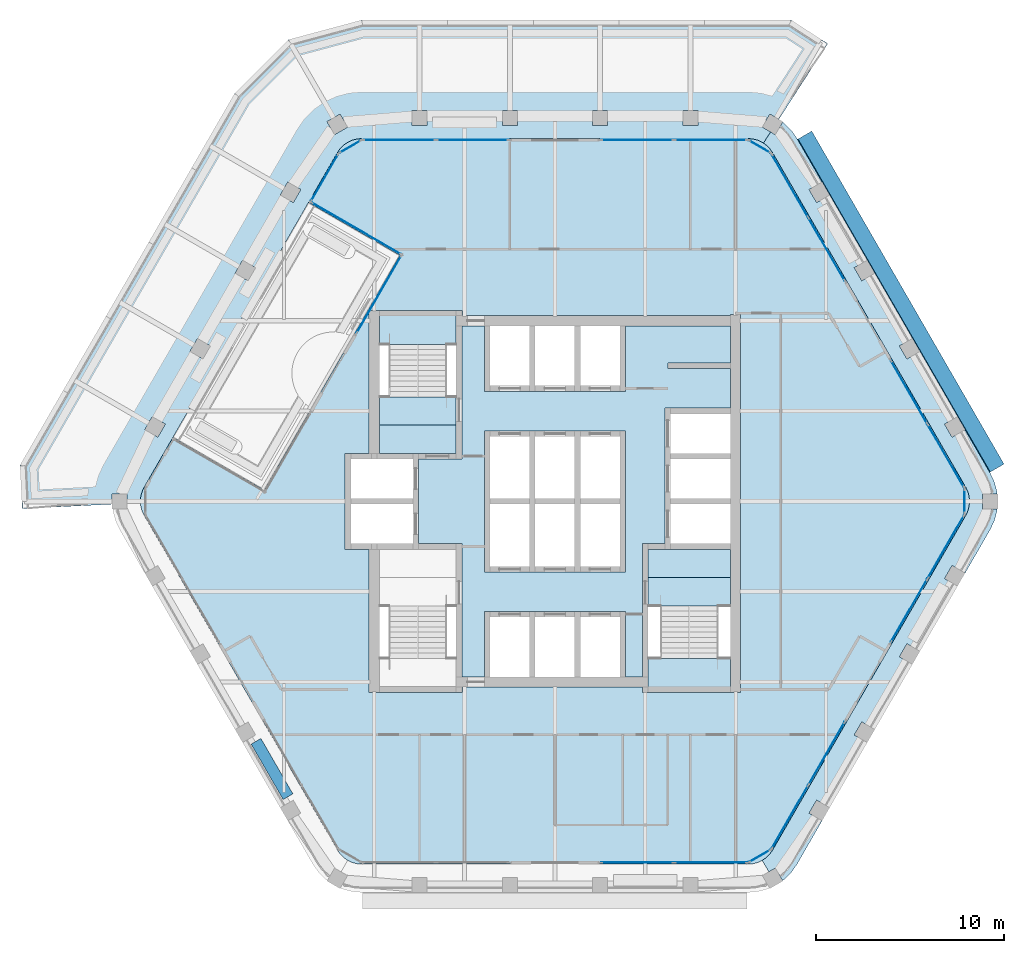
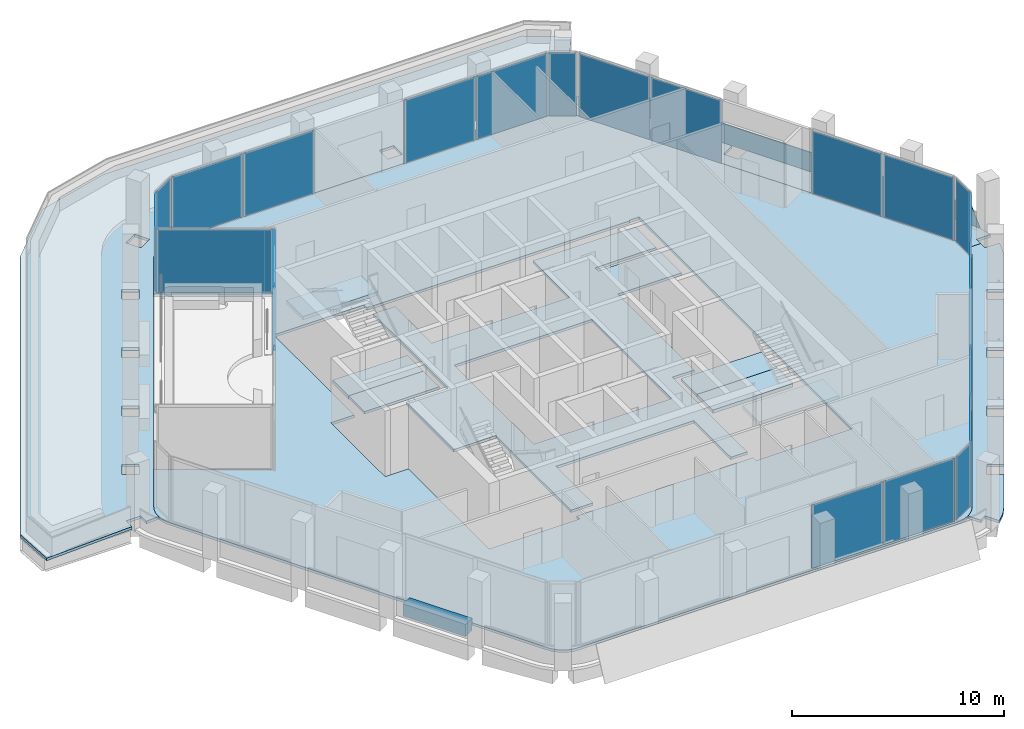
# One storey, part 9 of 16: 22 plates, 11 slabs, 1 wall, 16 elements without a shape of their own.
"""IFC4 building model written with IfcOpenShell, lengths in metres."""

import ifcopenshell
import ifcopenshell.guid

model = None  # the IFC model being written
_history = None  # IfcOwnerHistory: only IFC2X3 demands one
_inside = {}  # id of a spatial element -> (the spatial element, [elements in it])
_under = {}  # id of a project, library or spatial element -> (it, [spatial elements below it])
_declared = {}  # id of a project -> (the project, [libraries it declares])
_typed = {}  # id of a type object -> (the type object, [elements of that type])
_made_of = {}  # id of a material, layer set ... -> (it, [elements and type objects made of it])


def new_model(schema):
    """Start an empty IFC model of exactly this schema.

    Asked for "IFC4X3", IfcOpenShell would pick the latest addendum, in which some entities
    have other attributes; the version numbers below select the first issue.
    IFC2X3 requires an IfcOwnerHistory on every rooted entity: one is made here for all.
    """
    global model, _history
    if schema == "IFC4X3":
        model = ifcopenshell.file(schema_version=(4, 3, 0, 0))
    else:
        model = ifcopenshell.file(schema=schema)
    _inside.clear()
    _under.clear()
    _declared.clear()
    _typed.clear()
    _made_of.clear()
    _history = None
    if model.schema == "IFC2X3":
        org = make("IfcOrganization", Name="unknown")
        user = make(
            "IfcPersonAndOrganization",
            ThePerson=make("IfcPerson", FamilyName="unknown"),
            TheOrganization=org,
        )
        app = make(
            "IfcApplication",
            ApplicationDeveloper=org,
            Version="unknown",
            ApplicationFullName="unknown",
            ApplicationIdentifier="unknown",
        )
        _history = make(
            "IfcOwnerHistory",
            OwningUser=user,
            OwningApplication=app,
            ChangeAction="ADDED",
            CreationDate=0,
        )
    return model


def make(cls, **values):
    """One entity of the class cls with the attributes given. An attribute that is None is left unset."""
    return model.create_entity(
        cls, **{name: value for name, value in values.items() if value is not None}
    )


def rooted(cls, **values):
    """An entity with a GlobalId (a new one), such as an element, a storey or a relation."""
    return make(cls, GlobalId=ifcopenshell.guid.new(), OwnerHistory=_history, **values)


def si_unit(unit_type, name, prefix=None):
    """IfcSIUnit, for example si_unit("LENGTHUNIT", "METRE", prefix="MILLI")."""
    return make("IfcSIUnit", UnitType=unit_type, Prefix=prefix, Name=name)


def assignment(units):
    """IfcUnitAssignment: the units of a project."""
    return None if units is None else make("IfcUnitAssignment", Units=units)


def point(xyz):
    """IfcCartesianPoint."""
    return None if xyz is None else make("IfcCartesianPoint", Coordinates=xyz)


def direction(xyz):
    """IfcDirection."""
    return None if xyz is None else make("IfcDirection", DirectionRatios=xyz)


def frame(location, z_axis=None, x_axis=None):
    """IfcAxis2Placement3D, a coordinate frame: its origin and axes. An axis left out is left unset."""
    return make(
        "IfcAxis2Placement3D",
        Location=point(location),
        Axis=direction(z_axis),
        RefDirection=direction(x_axis),
    )


def frame_2d(location, x_axis=None):
    """IfcAxis2Placement2D, a coordinate frame in the plane: its origin and x axis."""
    return make(
        "IfcAxis2Placement2D", Location=point(location), RefDirection=direction(x_axis)
    )


def origin():
    """The frame at (0, 0, 0) with its axes left unset."""
    return frame((0.0, 0.0, 0.0))


def origin_2d():
    """The frame at (0, 0) in the plane with its x axis left unset."""
    return frame_2d((0.0, 0.0))


def place(relative_to, where):
    """IfcLocalPlacement: puts the frame where relative to a parent placement (None: the world)."""
    return make(
        "IfcLocalPlacement", PlacementRelTo=relative_to, RelativePlacement=where
    )


def context(
    kind, dimensions, precision=None, world=None, true_north=None, identifier=None
):
    """IfcGeometricRepresentationContext, for example the 3D "Model" context."""
    return make(
        "IfcGeometricRepresentationContext",
        ContextIdentifier=identifier,
        ContextType=kind,
        CoordinateSpaceDimension=dimensions,
        Precision=precision,
        WorldCoordinateSystem=world,
        TrueNorth=true_north,
    )


def subcontext(parent, identifier, kind, view, scale=None):
    """IfcGeometricRepresentationSubContext, for example "Body" below "Model"."""
    return make(
        "IfcGeometricRepresentationSubContext",
        ContextIdentifier=identifier,
        ContextType=kind,
        ParentContext=parent,
        TargetScale=scale,
        TargetView=view,
    )


def project(units=None, contexts=None):
    """IfcProject with its units and contexts."""
    return rooted(
        "IfcProject",
        Name="project",
        RepresentationContexts=contexts,
        UnitsInContext=assignment(units),
    )


def spatial(cls, under=None, at=None, **own):
    """A site, building, storey or space (cls), placed at a placement, below another one or the project."""
    s = rooted(cls, ObjectPlacement=at, **own)
    if under is not None:
        _under.setdefault(under.id(), (under, []))[1].append(s)
    return s


def polyline(points):
    """IfcPolyline through the points."""
    return make("IfcPolyline", Points=[point(p) for p in points])


def profile(cls, at=None, kind="AREA", **sizes):
    """A parametric profile (cls). Its sizes go by their IFC names, for example OverallWidth=200.0."""
    return make(cls, ProfileType=kind, Position=at, **sizes)


def rectangle(**sizes):
    """IfcRectangleProfileDef."""
    return profile("IfcRectangleProfileDef", **sizes)


def outline(outer, holes=None, kind="AREA"):
    """IfcArbitraryClosedProfileDef: a profile drawn as a closed curve; with holes, ...WithVoids."""
    if holes is None:
        return make("IfcArbitraryClosedProfileDef", ProfileType=kind, OuterCurve=outer)
    return make(
        "IfcArbitraryProfileDefWithVoids",
        ProfileType=kind,
        OuterCurve=outer,
        InnerCurves=holes,
    )


def extrude(swept, where, along, depth):
    """IfcExtrudedAreaSolid: the profile swept, set in the frame where, extruded along a direction by depth."""
    return make(
        "IfcExtrudedAreaSolid",
        SweptArea=swept,
        Position=where,
        ExtrudedDirection=direction(along),
        Depth=depth,
    )


def shape(context_of_items, identifier, shape_type, items):
    """IfcShapeRepresentation: the items that make up one representation, for example the "Body"."""
    return make(
        "IfcShapeRepresentation",
        ContextOfItems=context_of_items,
        RepresentationIdentifier=identifier,
        RepresentationType=shape_type,
        Items=items,
    )


def material(Name=None, Category=None):
    """IfcMaterial."""
    return make("IfcMaterial", Name=Name, Category=Category)


def layer(
    of_material, thickness, ventilated=None, Name=None, Category=None, Priority=None
):
    """IfcMaterialLayer: one layer of a wall or slab, of a material (None: an air gap)."""
    return make(
        "IfcMaterialLayer",
        Material=of_material,
        LayerThickness=thickness,
        IsVentilated=ventilated,
        Name=Name,
        Category=Category,
        Priority=Priority,
    )


def layer_set(layers, Name=None):
    """IfcMaterialLayerSet."""
    return make("IfcMaterialLayerSet", MaterialLayers=layers, LayerSetName=Name)


def made_of(thing, what):
    """Note that an element or type object is made of a material, layer set ...; save() writes the relation."""
    if what is not None:
        _made_of.setdefault(what.id(), (what, []))[1].append(thing)
    return thing


def type_object(cls, material=None, **own):
    """A type object (cls), such as IfcWallType, which elements share."""
    return made_of(rooted(cls, **own), material)


def element(
    cls,
    number,
    at=None,
    inside=None,
    cuts=None,
    type_object=None,
    material=None,
    context=None,
    identifier="Body",
    shape_type=None,
    held_by="IfcProductDefinitionShape",
    body=None,
    shapes=None,
    **own,
):
    """One element of the class cls, such as IfcWall. Its Tag is "e" and its number.

    at: its placement. inside: the storey or other place that contains it. cuts: it is an
    opening in that element (IfcRelVoidsElement). A single representation is given by context,
    identifier, shape_type and body (its items); several are given by shapes. held_by: the class
    of the entity that holds the representations. save() writes the other relations.
    """
    e = rooted(cls, Tag="e%d" % number, ObjectPlacement=at, **own)
    if body is not None:
        shapes = [shape(context, identifier, shape_type, body)]
    if shapes is not None:
        e.Representation = make(held_by, Representations=shapes)
    if inside is not None:
        _inside.setdefault(inside.id(), (inside, []))[1].append(e)
    if cuts is not None:
        rooted(
            "IfcRelVoidsElement", RelatingBuildingElement=cuts, RelatedOpeningElement=e
        )
    if type_object is not None:
        _typed.setdefault(type_object.id(), (type_object, []))[1].append(e)
    return made_of(e, material)


def aggregate(whole, parts):
    """IfcRelAggregates: a whole, such as a stair, and the parts it consists of."""
    return rooted("IfcRelAggregates", RelatingObject=whole, RelatedObjects=parts)


def save(model, path):
    """Write the relations noted so far, then the file.

    IfcRelAggregates (storeys below a building ...), IfcRelContainedInSpatialStructure (elements
    in a storey), IfcRelDefinesByType, IfcRelAssociatesMaterial and IfcRelDeclares: one each for
    every whole, place, type object, material and project.
    """
    for whole, parts in _under.values():
        aggregate(whole, parts)
    for where, things in _inside.values():
        rooted(
            "IfcRelContainedInSpatialStructure",
            RelatedElements=things,
            RelatingStructure=where,
        )
    for kind, things in _typed.values():
        rooted("IfcRelDefinesByType", RelatedObjects=things, RelatingType=kind)
    for what, things in _made_of.values():
        rooted("IfcRelAssociatesMaterial", RelatedObjects=things, RelatingMaterial=what)
    for by, libraries in _declared.values():
        rooted("IfcRelDeclares", RelatingContext=by, RelatedDefinitions=libraries)
    model.write(path)


model = new_model("IFC4")

# Units and contexts
model_context = context("Model", 3, precision=1e-05, world=origin(), true_north=direction((0.0, 1.0)))
body_context = subcontext(model_context, "Body", "Model", "MODEL_VIEW")
ifc_project = project(units=[si_unit("LENGTHUNIT", "METRE"), si_unit("AREAUNIT", "SQUARE_METRE"), si_unit("VOLUMEUNIT", "CUBIC_METRE"), si_unit("PLANEANGLEUNIT", "RADIAN"), si_unit("MASSUNIT", "GRAM", prefix="KILO")], contexts=[model_context])

# Site, building, storey
site_placement = place(None, origin())
site = spatial("IfcSite", under=ifc_project, at=site_placement, CompositionType="ELEMENT")
building_placement = place(site_placement, origin())
building = spatial("IfcBuilding", under=site, at=building_placement, Name="Kolab Exchange Tower", CompositionType="ELEMENT")
storey_placement = place(building_placement, frame((0.0, 0.0, 254.0)))
storey = spatial("IfcBuildingStorey", under=building, at=storey_placement, Name="L56", CompositionType="ELEMENT", Elevation=254.0)

# Slabs
ifc_material_1 = material(Name="Concrete C35/45", Category="concrete")
ifc_layer_1 = layer(ifc_material_1, 0.14990234375)
ifc_layer_set_1 = layer_set([ifc_layer_1], Name="Concrete C35/45")
slab_type_1 = type_object("IfcSlabType", Name="FLOOR SLAB 150", PredefinedType="FLOOR", material=ifc_layer_set_1)
slab_1_placement = place(storey_placement, frame((0.0, 0.0, -0.14990234375)))
element("IfcSlab", 1, at=slab_1_placement, inside=storey, type_object=slab_type_1, Name="slab/L56/floor/0", PredefinedType="FLOOR", context=body_context, shape_type="SweptSolid", body=[
    extrude(outline(polyline([(-11.56689453125, 18.53466796875), (-13.10107421875, 15.877685546875), (-8.251220703125, 13.07763671875), (-15.451171875, 0.60693359375), (-20.301025390625, 3.406982421875), (-21.8349609375, 0.75), (-21.945556640625, 0.512939453125), (-22.01318359375, 0.260498046875), (-22.035888671875, 0.0), (-22.01318359375, -0.260498046875), (-21.945556640625, -0.512939453125), (-21.8349609375, -0.75), (-11.56689453125, -18.53466796875), (-11.4169921875, -18.748779296875), (-11.232177734375, -18.93359375), (-11.01806640625, -19.083740234375), (-10.781005859375, -19.194091796875), (-10.5283203125, -19.26171875), (-10.26806640625, -19.28466796875), (10.26806640625, -19.28466796875), (10.5283203125, -19.26171875), (10.781005859375, -19.194091796875), (11.01806640625, -19.083740234375), (11.232177734375, -18.93359375), (11.4169921875, -18.748779296875), (11.56689453125, -18.53466796875), (21.8349609375, -0.75), (21.945556640625, -0.512939453125), (22.01318359375, -0.260498046875), (22.035888671875, 0.0), (22.01318359375, 0.260498046875), (21.945556640625, 0.512939453125), (21.8349609375, 0.75), (11.56689453125, 18.53466796875), (11.4169921875, 18.748779296875), (11.232177734375, 18.93359375), (11.01806640625, 19.083740234375), (10.781005859375, 19.194091796875), (10.5283203125, 19.26171875), (10.26806640625, 19.28466796875), (-10.26806640625, 19.28466796875), (-10.5283203125, 19.26171875), (-10.781005859375, 19.194091796875), (-11.01806640625, 19.083740234375), (-11.232177734375, 18.93359375), (-11.4169921875, 18.748779296875), (-11.56689453125, 18.53466796875)]), holes=[polyline([(-9.324951171875, -10.14990234375), (-9.875, -10.14990234375), (-9.875, -2.550048828125), (-10.85009765625, -2.550048828125), (-11.14990234375, -2.550048828125), (-11.14990234375, 2.550048828125), (-10.85009765625, 2.550048828125), (-9.875, 2.550048828125), (-9.875, 10.14990234375), (-9.324951171875, 10.14990234375), (-5.25, 10.14990234375), (-4.949951171875, 10.14990234375), (-4.949951171875, 9.875), (9.324951171875, 9.875), (9.324951171875, 9.925048828125), (9.875, 9.925048828125), (9.875, -10.14990234375), (9.324951171875, -10.14990234375), (4.949951171875, -10.14990234375), (4.64990234375, -10.14990234375), (4.64990234375, -9.875), (-4.949951171875, -9.875), (-4.949951171875, -10.14990234375), (-5.25, -10.14990234375), (-9.324951171875, -10.14990234375)])]), origin(), (0.0, 0.0, 1.0), 0.14990234375),
])
slab_2_placement = place(storey_placement, frame((0.0, 0.0, -0.14990234375)))
element("IfcSlab", 2, at=slab_2_placement, inside=storey, type_object=slab_type_1, Name="slab/L56/floor/1", PredefinedType="FLOOR", context=body_context, shape_type="SweptSolid", body=[
    extrude(outline(polyline([(-4.949951171875, 9.324951171875), (-4.949951171875, 2.25), (-5.25, 2.25), (-7.25, 2.25), (-7.25, -2.25), (-5.25, -2.25), (-4.949951171875, -2.25), (-4.949951171875, -9.324951171875), (-3.75, -9.324951171875), (-3.75, -5.85009765625), (-3.449951171875, -5.85009765625), (-1.35009765625, -5.85009765625), (-1.050048828125, -5.85009765625), (1.050048828125, -5.85009765625), (1.35009765625, -5.85009765625), (3.449951171875, -5.85009765625), (3.75, -5.85009765625), (3.75, -9.324951171875), (4.64990234375, -9.324951171875), (4.64990234375, -2.25), (4.949951171875, -2.25), (5.85009765625, -2.25), (5.85009765625, 4.949951171875), (6.14990234375, 4.949951171875), (9.324951171875, 4.949951171875), (9.324951171875, 7.050048828125), (6.0, 7.050048828125), (6.0, 7.35009765625), (9.324951171875, 7.35009765625), (9.324951171875, 9.324951171875), (3.75, 9.324951171875), (3.75, 5.85009765625), (3.449951171875, 5.85009765625), (1.35009765625, 5.85009765625), (1.050048828125, 5.85009765625), (-1.050048828125, 5.85009765625), (-1.35009765625, 5.85009765625), (-3.449951171875, 5.85009765625), (-3.75, 5.85009765625), (-3.75, 9.324951171875), (-4.949951171875, 9.324951171875)]), holes=[polyline([(-3.449951171875, -3.75), (-3.75, -3.75), (-3.75, 3.75), (-3.449951171875, 3.75), (-1.35009765625, 3.75), (-1.050048828125, 3.75), (1.050048828125, 3.75), (1.35009765625, 3.75), (3.449951171875, 3.75), (3.75, 3.75), (3.75, -3.75), (3.449951171875, -3.75), (1.35009765625, -3.75), (1.050048828125, -3.75), (-1.050048828125, -3.75), (-1.35009765625, -3.75), (-3.449951171875, -3.75)])]), origin(), (0.0, 0.0, 1.0), 0.14990234375),
])
slab_3_placement = place(storey_placement, frame((0.0, 0.0, -0.14990234375)))
element("IfcSlab", 3, at=slab_3_placement, inside=storey, type_object=slab_type_1, Name="slab/L56/floor/2", PredefinedType="FLOOR", context=body_context, shape_type="SweptSolid", body=[
    extrude(outline(polyline([(4.949951171875, -2.550048828125), (4.949951171875, -4.050048828125), (9.324951171875, -4.050048828125), (9.324951171875, -2.550048828125), (6.14990234375, -2.550048828125), (5.85009765625, -2.550048828125), (4.949951171875, -2.550048828125)])), origin(), (0.0, 0.0, 1.0), 0.14990234375),
])
slab_4_placement = place(storey_placement, frame((0.0, 0.0, -0.14990234375)))
element("IfcSlab", 4, at=slab_4_placement, inside=storey, type_object=slab_type_1, Name="slab/L56/floor/4", PredefinedType="FLOOR", context=body_context, shape_type="SweptSolid", body=[
    extrude(outline(polyline([(-9.324951171875, 4.050048828125), (-9.324951171875, 2.550048828125), (-7.550048828125, 2.550048828125), (-7.25, 2.550048828125), (-5.25, 2.550048828125), (-5.25, 4.050048828125), (-9.324951171875, 4.050048828125)])), origin(), (0.0, 0.0, 1.0), 0.14990234375),
])
ifc_layer_2 = layer(ifc_material_1, 0.14990234375)
ifc_layer_set_2 = layer_set([ifc_layer_2], Name="Concrete C35/45")
slab_type_2 = type_object("IfcSlabType", Name="LOGGIA SLAB 150", PredefinedType="FLOOR", material=ifc_layer_set_2)
slab_5_placement = place(storey_placement, frame((0.0, 0.0, -0.14990234375)))
element("IfcSlab", 5, at=slab_5_placement, inside=storey, type_object=slab_type_2, Name="slab/L56/loggia/1-0", PredefinedType="FLOOR", context=body_context, shape_type="SweptSolid", body=[
    extrude(outline(polyline([(22.01318359375, 0.260498046875), (22.035888671875, 0.0), (22.73583984375, 0.0), (22.73583984375, 0.39990234375), (23.5009765625, 0.39990234375), (23.490234375, 0.52099609375), (23.35498046875, 1.026123046875), (23.134033203125, 1.5), (21.800048828125, 3.810546875), (21.107177734375, 3.410400390625), (20.707275390625, 4.103271484375), (21.39990234375, 4.50341796875), (19.39990234375, 7.967529296875), (18.707275390625, 7.5673828125), (18.30712890625, 8.26025390625), (19.0, 8.66015625), (17.0, 12.124267578125), (16.30712890625, 11.724365234375), (15.9072265625, 12.417236328125), (16.60009765625, 12.817138671875), (14.60009765625, 16.28125), (13.9072265625, 15.88134765625), (13.507080078125, 16.57421875), (14.199951171875, 16.97412109375), (12.865966796875, 19.28466796875), (12.566162109375, 19.712890625), (12.1962890625, 20.082763671875), (12.096923828125, 20.15234375), (11.71435546875, 19.48974609375), (11.464111328125, 19.63427734375), (11.080322265625, 19.0400390625), (11.232177734375, 18.93359375), (11.4169921875, 18.748779296875), (11.56689453125, 18.53466796875), (21.8349609375, 0.75), (21.945556640625, 0.512939453125), (22.01318359375, 0.260498046875)])), origin(), (0.0, 0.0, 1.0), 0.14990234375),
])
slab_6_placement = place(storey_placement, frame((0.0, 0.0, -0.14990234375)))
element("IfcSlab", 6, at=slab_6_placement, inside=storey, type_object=slab_type_2, Name="slab/L56/loggia/2-0", PredefinedType="FLOOR", context=body_context, shape_type="SweptSolid", body=[
    extrude(outline(polyline([(12.566162109375, -19.712890625), (12.865966796875, -19.28466796875), (14.199951171875, -16.97412109375), (13.507080078125, -16.57421875), (13.9072265625, -15.88134765625), (14.60009765625, -16.28125), (16.60009765625, -12.817138671875), (15.9072265625, -12.417236328125), (16.30712890625, -11.724365234375), (17.0, -12.124267578125), (19.0, -8.66015625), (18.30712890625, -8.26025390625), (18.707275390625, -7.5673828125), (19.39990234375, -7.967529296875), (21.39990234375, -4.50341796875), (20.707275390625, -4.103271484375), (21.107177734375, -3.410400390625), (21.800048828125, -3.810546875), (23.134033203125, -1.5), (23.35498046875, -1.026123046875), (23.490234375, -0.52099609375), (23.5009765625, -0.39990234375), (22.73583984375, -0.39990234375), (22.73583984375, 0.0), (22.035888671875, 0.0), (22.01318359375, -0.260498046875), (21.945556640625, -0.512939453125), (21.8349609375, -0.75), (11.56689453125, -18.53466796875), (11.4169921875, -18.748779296875), (11.232177734375, -18.93359375), (11.01806640625, -19.083740234375), (11.367919921875, -19.68994140625), (11.71435546875, -19.48974609375), (12.096923828125, -20.15234375), (12.1962890625, -20.082763671875), (12.566162109375, -19.712890625)])), origin(), (0.0, 0.0, 1.0), 0.14990234375),
])

# Plate
ifc_material_2 = material(Name="Laminated glass, clear", Category="glass")
ifc_layer_3 = layer(ifc_material_2, 0.0400390625)
ifc_layer_set_3 = layer_set([ifc_layer_3], Name="Laminated glass, clear")
plate_type_1 = type_object("IfcPlateType", Name="OUTER SKIN LAMINATED GLASS SHEET 40", PredefinedType="SHEET", material=ifc_layer_set_3)
plate_1_placement = place(storey_placement, frame((13.6494140625, 19.67919921875, -0.68310546875), z_axis=(0.784886322863, 0.453152182031, 0.422618693508), x_axis=(0.499997422494, -0.866026891901, 1.981408e-06)))
element("IfcPlate", 7, at=plate_1_placement, inside=storey, type_object=plate_type_1, Name="Outer skin", PredefinedType="SHEET", context=body_context, shape_type="SweptSolid", body=[
    extrude(outline(polyline([(0.0, 0.0), (20.435802623779963, 0.0), (20.435856947346753, -1.9860898935068516), (-6.774611643567295e-05, -1.9861792489881693), (0.0, 0.0)])), origin(), (0.0, 0.0, -1.0), 0.0400390625),
])

# Stair, slabs
ifc_material_3 = material(Name="Concrete C50/60", Category="concrete")
stair_type_1 = type_object("IfcStairType", Name="STAIR ST1 RISER 177.3", PredefinedType="HALF_TURN_STAIR", material=ifc_material_3)
stair_1_placement = place(storey_placement, origin())
stair_1 = element("IfcStair", 8, at=stair_1_placement, inside=storey, type_object=stair_type_1, Name="Stair 1", PredefinedType="HALF_TURN_STAIR")
ifc_layer_4 = layer(ifc_material_3, 0.199951171875)
ifc_layer_set_4 = layer_set([ifc_layer_4], Name="Concrete C50/60")
slab_type_3 = type_object("IfcSlabType", Name="STAIR LANDING 200", PredefinedType="LANDING", material=ifc_layer_set_4)
slab_7_placement = place(storey_placement, frame((0.0, 0.0, -0.199951171875)))
slab_7 = element("IfcSlab", 9, at=slab_7_placement, type_object=slab_type_3, Name="ST1 landing 1", PredefinedType="LANDING", context=body_context, shape_type="SweptSolid", body=[
    extrude(outline(polyline([(-9.324951171875, 4.050048828125), (-5.25, 4.050048828125), (-5.25, 5.550048828125), (-9.324951171875, 5.550048828125), (-9.324951171875, 4.050048828125)])), origin(), (0.0, 0.0, 1.0), 0.199951171875),
])
slab_8_placement = place(storey_placement, frame((0.0, 0.0, 1.75)))
slab_8 = element("IfcSlab", 10, at=slab_8_placement, type_object=slab_type_3, Name="ST1 landing 2", PredefinedType="LANDING", context=body_context, shape_type="SweptSolid", body=[
    extrude(outline(polyline([(-9.324951171875, 8.35009765625), (-5.25, 8.35009765625), (-5.25, 9.909912109375), (-9.324951171875, 9.909912109375), (-9.324951171875, 8.35009765625)])), origin(), (0.0, 0.0, 1.0), 0.199951171875),
])
aggregate(stair_1, [slab_7, slab_8])

stair_type_2 = type_object("IfcStairType", Name="STAIR ST2 RISER 177.3", PredefinedType="HALF_TURN_STAIR", material=ifc_material_3)
stair_2_placement = place(storey_placement, origin())
stair_2 = element("IfcStair", 11, at=stair_2_placement, inside=storey, type_object=stair_type_2, Name="Stair 2", PredefinedType="HALF_TURN_STAIR")
slab_9_placement = place(storey_placement, frame((0.0, 0.0, -0.199951171875)))
slab_9 = element("IfcSlab", 12, at=slab_9_placement, type_object=slab_type_3, Name="ST2 landing 1", PredefinedType="LANDING", context=body_context, shape_type="SweptSolid", body=[
    extrude(outline(polyline([(4.949951171875, -5.550048828125), (9.324951171875, -5.550048828125), (9.324951171875, -4.050048828125), (4.949951171875, -4.050048828125), (4.949951171875, -5.550048828125)])), origin(), (0.0, 0.0, 1.0), 0.199951171875),
])
slab_10_placement = place(storey_placement, frame((0.0, 0.0, 1.75)))
slab_10 = element("IfcSlab", 13, at=slab_10_placement, type_object=slab_type_3, Name="ST2 landing 2", PredefinedType="LANDING", context=body_context, shape_type="SweptSolid", body=[
    extrude(outline(polyline([(4.949951171875, -9.909912109375), (9.324951171875, -9.909912109375), (9.324951171875, -8.35009765625), (4.949951171875, -8.35009765625), (4.949951171875, -9.909912109375)])), origin(), (0.0, 0.0, 1.0), 0.199951171875),
])
aggregate(stair_2, [slab_9, slab_10])

# Slab
ifc_layer_5 = layer(ifc_material_1, 0.14990234375)
ifc_layer_set_5 = layer_set([ifc_layer_5], Name="Concrete C35/45")
slab_type_4 = type_object("IfcSlabType", Name="TERRACE SLAB 150 PLANTED", PredefinedType="ROOF", material=ifc_layer_set_5)
slab_11_placement = place(storey_placement, frame((0.0, 0.0, -0.14990234375)))
element("IfcSlab", 14, at=slab_11_placement, inside=storey, type_object=slab_type_4, Name="Roof terrace", PredefinedType="ROOF", context=body_context, shape_type="SweptSolid", body=[
    extrude(outline(polyline([(-28.432373046875, 1.9228515625), (-28.4326171875, 1.922607421875), (-28.31689453125, -0.38916015625), (-28.31689453125, -0.389404296875), (-28.316650390625, -0.389404296875), (-23.535888671875, -0.150146484375), (-23.535888671875, 0.39990234375), (-22.73583984375, 0.39990234375), (-22.73583984375, -0.110107421875), (-22.029296875, -0.07470703125), (-22.035888671875, -0.000244140625), (-22.035888671875, 0.0), (-22.035888671875, 0.000244140625), (-22.01318359375, 0.26025390625), (-22.01318359375, 0.260498046875), (-22.01318359375, 0.2607421875), (-21.945556640625, 0.512939453125), (-21.9453125, 0.512939453125), (-21.9453125, 0.51318359375), (-21.8349609375, 0.75), (-11.567138671875, 18.534423828125), (-11.56689453125, 18.53466796875), (-11.417236328125, 18.74853515625), (-11.4169921875, 18.748779296875), (-11.4169921875, 18.7490234375), (-11.232177734375, 18.93359375), (-11.23193359375, 18.933837890625), (-11.01806640625, 19.08349609375), (-11.01806640625, 19.083740234375), (-11.017822265625, 19.083740234375), (-10.78125, 19.194091796875), (-10.781005859375, 19.194091796875), (-10.78076171875, 19.194091796875), (-10.528564453125, 19.26171875), (-10.5283203125, 19.26171875), (-10.26806640625, 19.28466796875), (-10.267822265625, 19.28466796875), (10.267822265625, 19.28466796875), (10.26806640625, 19.28466796875), (10.5283203125, 19.26171875), (10.528564453125, 19.26171875), (10.78076171875, 19.194091796875), (10.781005859375, 19.194091796875), (10.78125, 19.194091796875), (11.017822265625, 19.083740234375), (11.01806640625, 19.083740234375), (11.01806640625, 19.08349609375), (11.079345703125, 19.040771484375), (11.46337890625, 19.634765625), (11.021484375, 19.889892578125), (11.421630859375, 20.582763671875), (11.89794921875, 20.3076171875), (14.495361328125, 24.328369140625), (14.49560546875, 24.32861328125), (14.495361328125, 24.32861328125), (12.55126953125, 25.58447265625), (12.55126953125, 25.584716796875), (-10.267822265625, 25.584716796875), (-10.267822265625, 25.58447265625), (-14.16796875, 24.53955078125), (-17.02294921875, 21.6845703125), (-28.432373046875, 1.9228515625)]), holes=[polyline([(-21.107177734375, 3.410400390625), (-21.800048828125, 3.810546875), (-21.39990234375, 4.50341796875), (-20.707275390625, 4.103271484375), (-21.107177734375, 3.410400390625)]), polyline([(-19.39990234375, 7.967529296875), (-19.0, 8.66015625), (-18.30712890625, 8.26025390625), (-18.707275390625, 7.5673828125), (-19.39990234375, 7.967529296875)]), polyline([(-17.0, 12.124267578125), (-16.60009765625, 12.817138671875), (-15.9072265625, 12.417236328125), (-16.30712890625, 11.724365234375), (-17.0, 12.124267578125)]), polyline([(-14.60009765625, 16.28125), (-14.199951171875, 16.97412109375), (-13.507080078125, 16.57421875), (-13.9072265625, 15.88134765625), (-14.60009765625, 16.28125)]), polyline([(-11.71435546875, 19.48974609375), (-12.1142578125, 20.1826171875), (-11.421630859375, 20.582763671875), (-11.021484375, 19.889892578125), (-11.71435546875, 19.48974609375)]), polyline([(-2.800048828125, 19.984619140625), (-2.800048828125, 20.78466796875), (-2.0, 20.78466796875), (-2.0, 19.984619140625), (-2.800048828125, 19.984619140625)]), polyline([(-7.60009765625, 20.78466796875), (-6.800048828125, 20.78466796875), (-6.800048828125, 19.984619140625), (-7.60009765625, 19.984619140625), (-7.60009765625, 20.78466796875)]), polyline([(2.0, 20.78466796875), (2.800048828125, 20.78466796875), (2.800048828125, 19.984619140625), (2.0, 19.984619140625), (2.0, 20.78466796875)]), polyline([(6.800048828125, 20.78466796875), (7.60009765625, 20.78466796875), (7.60009765625, 19.984619140625), (6.800048828125, 19.984619140625), (6.800048828125, 20.78466796875)])]), origin(), (0.0, 0.0, 1.0), 0.14990234375),
])

# Curtain wall, plates
ifc_material_4 = material(Name="Aluminium EN AW-6063 T6", Category="aluminium")
curtain_wall_type = type_object("IfcCurtainWallType", Name="UNITISED HIGH ZONE CURTAIN WALL", PredefinedType="NOTDEFINED", material=ifc_material_4)
curtain_wall_1_placement = place(storey_placement, origin())
curtain_wall_1 = element("IfcCurtainWall", 15, at=curtain_wall_1_placement, inside=storey, type_object=curtain_wall_type, Name="cw/L56/F1-1", PredefinedType="NOTDEFINED")
ifc_material_5 = material(Name="Clear insulated glazing unit", Category="glass")
ifc_layer_6 = layer(ifc_material_5, 0.030029296875)
ifc_layer_set_6 = layer_set([ifc_layer_6], Name="Clear insulated glazing unit")
plate_type_2 = type_object("IfcPlateType", Name="UNITISED HIGH ZONE GLASS PANEL 30", PredefinedType="CURTAIN_PANEL", material=ifc_layer_set_6)
plate_2_placement = place(storey_placement, frame((-8.285888671875, 19.20458984375, 0.06005859375), z_axis=(0.0, 0.0, 1.0), x_axis=(1.0, 0.0, 0.0)))
plate_2 = element("IfcPlate", 16, at=plate_2_placement, type_object=plate_type_2, Name="CW4 panel 1.1", PredefinedType="CURTAIN_PANEL", context=body_context, shape_type="SweptSolid", body=[
    extrude(rectangle(XDim=3.843994140625, YDim=0.030029296875, at=origin_2d()), origin(), (0.0, 0.0, 1.0), 3.6298828125),
])
plate_3_placement = place(storey_placement, frame((-4.382080078125, 19.20458984375, 0.06005859375), z_axis=(0.0, 0.0, 1.0), x_axis=(1.0, 0.0, 0.0)))
plate_3 = element("IfcPlate", 17, at=plate_3_placement, type_object=plate_type_2, Name="CW4 panel 2.1", PredefinedType="CURTAIN_PANEL", context=body_context, shape_type="SweptSolid", body=[
    extrude(rectangle(XDim=3.843994140625, YDim=0.030029296875, at=origin_2d()), origin(), (0.0, 0.0, 1.0), 3.6298828125),
])
aggregate(curtain_wall_1, [plate_2, plate_3])

curtain_wall_2_placement = place(storey_placement, origin())
curtain_wall_2 = element("IfcCurtainWall", 18, at=curtain_wall_2_placement, inside=storey, type_object=curtain_wall_type, Name="cw/L56/F1-2", PredefinedType="NOTDEFINED")
plate_4_placement = place(storey_placement, frame((4.382080078125, 19.20458984375, 0.06005859375), z_axis=(0.0, 0.0, 1.0), x_axis=(1.0, 0.0, 0.0)))
plate_4 = element("IfcPlate", 19, at=plate_4_placement, type_object=plate_type_2, Name="CW4 panel 1.1", PredefinedType="CURTAIN_PANEL", context=body_context, shape_type="SweptSolid", body=[
    extrude(rectangle(XDim=3.843994140625, YDim=0.030029296875, at=origin_2d()), origin(), (0.0, 0.0, 1.0), 3.6298828125),
])
plate_5_placement = place(storey_placement, frame((8.285888671875, 19.20458984375, 0.06005859375), z_axis=(0.0, 0.0, 1.0), x_axis=(1.0, 0.0, 0.0)))
plate_5 = element("IfcPlate", 20, at=plate_5_placement, type_object=plate_type_2, Name="CW4 panel 2.1", PredefinedType="CURTAIN_PANEL", context=body_context, shape_type="SweptSolid", body=[
    extrude(rectangle(XDim=3.843994140625, YDim=0.030029296875, at=origin_2d()), origin(), (0.0, 0.0, 1.0), 3.6298828125),
])
aggregate(curtain_wall_2, [plate_4, plate_5])

curtain_wall_3_placement = place(storey_placement, origin())
curtain_wall_3 = element("IfcCurtainWall", 21, at=curtain_wall_3_placement, inside=storey, type_object=curtain_wall_type, Name="cw/L56/F2-1", PredefinedType="NOTDEFINED")
plate_6_placement = place(storey_placement, frame((12.48876953125, 16.778076171875, 0.06005859375), z_axis=(0.0, 0.0, 1.0), x_axis=(0.500000031681, -0.866025385493, 0.0)))
plate_6 = element("IfcPlate", 22, at=plate_6_placement, type_object=plate_type_2, Name="CW4 panel 1.1", PredefinedType="CURTAIN_PANEL", context=body_context, shape_type="SweptSolid", body=[
    extrude(rectangle(XDim=3.843994140625, YDim=0.030029296875, at=origin_2d()), origin(), (0.0, 0.0, 1.0), 3.6298828125),
])
plate_7_placement = place(storey_placement, frame((14.440673828125, 13.397216796875, 0.06005859375), z_axis=(0.0, 0.0, 1.0), x_axis=(0.500000031681, -0.866025385493, 0.0)))
plate_7 = element("IfcPlate", 23, at=plate_7_placement, type_object=plate_type_2, Name="CW4 panel 2.1", PredefinedType="CURTAIN_PANEL", context=body_context, shape_type="SweptSolid", body=[
    extrude(rectangle(XDim=3.843994140625, YDim=0.030029296875, at=origin_2d()), origin(), (0.0, 0.0, 1.0), 3.6298828125),
])
aggregate(curtain_wall_3, [plate_6, plate_7])

curtain_wall_4_placement = place(storey_placement, origin())
curtain_wall_4 = element("IfcCurtainWall", 24, at=curtain_wall_4_placement, inside=storey, type_object=curtain_wall_type, Name="cw/L56/F2-2", PredefinedType="NOTDEFINED")
plate_8_placement = place(storey_placement, frame((18.82275390625, 5.807373046875, 0.06005859375), z_axis=(0.0, 0.0, 1.0), x_axis=(0.499999936366, -0.866025440524, 0.0)))
plate_8 = element("IfcPlate", 25, at=plate_8_placement, type_object=plate_type_2, Name="CW4 panel 1.1", PredefinedType="CURTAIN_PANEL", context=body_context, shape_type="SweptSolid", body=[
    extrude(rectangle(XDim=3.843994140625, YDim=0.030029296875, at=origin_2d()), origin(), (0.0, 0.0, 1.0), 3.6298828125),
])
plate_9_placement = place(storey_placement, frame((20.774658203125, 2.426513671875, 0.06005859375), z_axis=(0.0, 0.0, 1.0), x_axis=(0.499999936366, -0.866025440524, 0.0)))
plate_9 = element("IfcPlate", 26, at=plate_9_placement, type_object=plate_type_2, Name="CW4 panel 2.1", PredefinedType="CURTAIN_PANEL", context=body_context, shape_type="SweptSolid", body=[
    extrude(rectangle(XDim=3.843994140625, YDim=0.030029296875, at=origin_2d()), origin(), (0.0, 0.0, 1.0), 3.6298828125),
])
aggregate(curtain_wall_4, [plate_8, plate_9])

curtain_wall_5_placement = place(storey_placement, origin())
curtain_wall_5 = element("IfcCurtainWall", 27, at=curtain_wall_5_placement, inside=storey, type_object=curtain_wall_type, Name="cw/L56/F3-1", PredefinedType="NOTDEFINED")
plate_10_placement = place(storey_placement, frame((20.774658203125, -2.426513671875, 0.06005859375), z_axis=(0.0, 0.0, 1.0), x_axis=(-0.499999936366, -0.866025440524, 0.0)))
plate_10 = element("IfcPlate", 28, at=plate_10_placement, type_object=plate_type_2, Name="CW4 panel 1.1", PredefinedType="CURTAIN_PANEL", context=body_context, shape_type="SweptSolid", body=[
    extrude(rectangle(XDim=3.843994140625, YDim=0.030029296875, at=origin_2d()), origin(), (0.0, 0.0, 1.0), 3.6298828125),
])
plate_11_placement = place(storey_placement, frame((18.82275390625, -5.807373046875, 0.06005859375), z_axis=(0.0, 0.0, 1.0), x_axis=(-0.499999936366, -0.866025440524, 0.0)))
plate_11 = element("IfcPlate", 29, at=plate_11_placement, type_object=plate_type_2, Name="CW4 panel 2.1", PredefinedType="CURTAIN_PANEL", context=body_context, shape_type="SweptSolid", body=[
    extrude(rectangle(XDim=3.843994140625, YDim=0.030029296875, at=origin_2d()), origin(), (0.0, 0.0, 1.0), 3.6298828125),
])
aggregate(curtain_wall_5, [plate_10, plate_11])

curtain_wall_6_placement = place(storey_placement, origin())
curtain_wall_6 = element("IfcCurtainWall", 30, at=curtain_wall_6_placement, inside=storey, type_object=curtain_wall_type, Name="cw/L56/F3-2", PredefinedType="NOTDEFINED")
plate_12_placement = place(storey_placement, frame((14.440673828125, -13.397216796875, 0.06005859375), z_axis=(0.0, 0.0, 1.0), x_axis=(-0.500000031681, -0.866025385493, 0.0)))
plate_12 = element("IfcPlate", 31, at=plate_12_placement, type_object=plate_type_2, Name="CW4 panel 1.1", PredefinedType="CURTAIN_PANEL", context=body_context, shape_type="SweptSolid", body=[
    extrude(rectangle(XDim=3.843994140625, YDim=0.030029296875, at=origin_2d()), origin(), (0.0, 0.0, 1.0), 3.6298828125),
])
plate_13_placement = place(storey_placement, frame((12.48876953125, -16.778076171875, 0.06005859375), z_axis=(0.0, 0.0, 1.0), x_axis=(-0.500000031681, -0.866025385493, 0.0)))
plate_13 = element("IfcPlate", 32, at=plate_13_placement, type_object=plate_type_2, Name="CW4 panel 2.1", PredefinedType="CURTAIN_PANEL", context=body_context, shape_type="SweptSolid", body=[
    extrude(rectangle(XDim=3.843994140625, YDim=0.030029296875, at=origin_2d()), origin(), (0.0, 0.0, 1.0), 3.6298828125),
])
aggregate(curtain_wall_6, [plate_12, plate_13])

curtain_wall_7_placement = place(storey_placement, origin())
curtain_wall_7 = element("IfcCurtainWall", 33, at=curtain_wall_7_placement, inside=storey, type_object=curtain_wall_type, Name="cw/L56/F4-1", PredefinedType="NOTDEFINED")
plate_14_placement = place(storey_placement, frame((8.285888671875, -19.20458984375, 0.06005859375), z_axis=(0.0, 0.0, 1.0), x_axis=(-1.0, 0.0, 0.0)))
plate_14 = element("IfcPlate", 34, at=plate_14_placement, type_object=plate_type_2, Name="CW4 panel 1.1", PredefinedType="CURTAIN_PANEL", context=body_context, shape_type="SweptSolid", body=[
    extrude(rectangle(XDim=3.843994140625, YDim=0.030029296875, at=origin_2d()), origin(), (0.0, 0.0, 1.0), 3.6298828125),
])
plate_15_placement = place(storey_placement, frame((4.382080078125, -19.20458984375, 0.06005859375), z_axis=(0.0, 0.0, 1.0), x_axis=(-1.0, 0.0, 0.0)))
plate_15 = element("IfcPlate", 35, at=plate_15_placement, type_object=plate_type_2, Name="CW4 panel 2.1", PredefinedType="CURTAIN_PANEL", context=body_context, shape_type="SweptSolid", body=[
    extrude(rectangle(XDim=3.843994140625, YDim=0.030029296875, at=origin_2d()), origin(), (0.0, 0.0, 1.0), 3.6298828125),
])
aggregate(curtain_wall_7, [plate_14, plate_15])

# Curtain wall, plate
curtain_wall_8_placement = place(storey_placement, origin())
curtain_wall_8 = element("IfcCurtainWall", 36, at=curtain_wall_8_placement, inside=storey, type_object=curtain_wall_type, Name="cw/L56/F6-back-2", PredefinedType="NOTDEFINED")
plate_16_placement = place(storey_placement, frame((-9.355224609375, 11.00537109375, 0.06005859375), z_axis=(0.0, 0.0, 1.0), x_axis=(0.500000047915, 0.866025376121, 0.0)))
plate_16 = element("IfcPlate", 37, at=plate_16_placement, type_object=plate_type_2, Name="CW4 panel 1.1", PredefinedType="CURTAIN_PANEL", context=body_context, shape_type="SweptSolid", body=[
    extrude(rectangle(XDim=4.7333984375, YDim=0.030029296875, at=origin_2d()), origin(), (0.0, 0.0, 1.0), 3.6298828125),
])
aggregate(curtain_wall_8, [plate_16])

curtain_wall_9_placement = place(storey_placement, origin())
curtain_wall_9 = element("IfcCurtainWall", 38, at=curtain_wall_9_placement, inside=storey, type_object=curtain_wall_type, Name="cw/L56/F6-rr-1", PredefinedType="NOTDEFINED")
plate_17_placement = place(storey_placement, frame((-10.56689453125, 14.507080078125, 0.06005859375), z_axis=(0.0, 0.0, 1.0), x_axis=(-0.866025392126, 0.500000020194, 0.0)))
plate_17 = element("IfcPlate", 39, at=plate_17_placement, type_object=plate_type_2, Name="CW4 panel 1.1", PredefinedType="CURTAIN_PANEL", context=body_context, shape_type="SweptSolid", body=[
    extrude(rectangle(XDim=5.47998046875, YDim=0.030029296875, at=origin_2d()), origin(), (0.0, 0.0, 1.0), 3.6298828125),
])
aggregate(curtain_wall_9, [plate_17])

curtain_wall_10_placement = place(storey_placement, origin())
curtain_wall_10 = element("IfcCurtainWall", 40, at=curtain_wall_10_placement, inside=storey, type_object=curtain_wall_type, Name="cw/L56/F6-r-1", PredefinedType="NOTDEFINED")
plate_18_placement = place(storey_placement, frame((-12.24462890625, 17.20068359375, 0.06005859375), z_axis=(0.0, 0.0, 1.0), x_axis=(0.500000087712, 0.866025353144, 0.0)))
plate_18 = element("IfcPlate", 41, at=plate_18_placement, type_object=plate_type_2, Name="CW4 panel 1.1", PredefinedType="CURTAIN_PANEL", context=body_context, shape_type="SweptSolid", body=[
    extrude(rectangle(XDim=2.867919921875, YDim=0.030029296875, at=origin_2d()), origin(), (0.0, 0.0, 1.0), 3.6298828125),
])
aggregate(curtain_wall_10, [plate_18])

curtain_wall_11_placement = place(storey_placement, origin())
curtain_wall_11 = element("IfcCurtainWall", 42, at=curtain_wall_11_placement, inside=storey, type_object=curtain_wall_type, Name="cw/L56/F1F2-corner", PredefinedType="NOTDEFINED")
plate_19_placement = place(storey_placement, frame((10.8828125, 18.849609375, 0.06005859375), z_axis=(0.0, 0.0, 1.0), x_axis=(0.866025390869, -0.50000002237, 0.0)))
plate_19 = element("IfcPlate", 43, at=plate_19_placement, type_object=plate_type_2, Name="CW4 panel 1.1", PredefinedType="CURTAIN_PANEL", context=body_context, shape_type="SweptSolid", body=[
    extrude(rectangle(XDim=1.300048828125, YDim=0.030029296875, at=origin_2d()), origin(), (0.0, 0.0, 1.0), 3.6298828125),
])
aggregate(curtain_wall_11, [plate_19])

curtain_wall_12_placement = place(storey_placement, origin())
curtain_wall_12 = element("IfcCurtainWall", 44, at=curtain_wall_12_placement, inside=storey, type_object=curtain_wall_type, Name="cw/L56/F2F3-corner", PredefinedType="NOTDEFINED")
plate_20_placement = place(storey_placement, frame((21.765625, 0.0, 0.06005859375), z_axis=(0.0, 0.0, 1.0), x_axis=(0.0, -1.0, 0.0)))
plate_20 = element("IfcPlate", 45, at=plate_20_placement, type_object=plate_type_2, Name="CW4 panel 1.1", PredefinedType="CURTAIN_PANEL", context=body_context, shape_type="SweptSolid", body=[
    extrude(rectangle(XDim=1.300048828125, YDim=0.030029296875, at=origin_2d()), origin(), (0.0, 0.0, 1.0), 3.6298828125),
])
aggregate(curtain_wall_12, [plate_20])

curtain_wall_13_placement = place(storey_placement, origin())
curtain_wall_13 = element("IfcCurtainWall", 46, at=curtain_wall_13_placement, inside=storey, type_object=curtain_wall_type, Name="cw/L56/F3F4-corner", PredefinedType="NOTDEFINED")
plate_21_placement = place(storey_placement, frame((10.8828125, -18.849609375, 0.06005859375), z_axis=(0.0, 0.0, 1.0), x_axis=(-0.866025390869, -0.50000002237, 0.0)))
plate_21 = element("IfcPlate", 47, at=plate_21_placement, type_object=plate_type_2, Name="CW4 panel 1.1", PredefinedType="CURTAIN_PANEL", context=body_context, shape_type="SweptSolid", body=[
    extrude(rectangle(XDim=1.300048828125, YDim=0.030029296875, at=origin_2d()), origin(), (0.0, 0.0, 1.0), 3.6298828125),
])
aggregate(curtain_wall_13, [plate_21])

curtain_wall_14_placement = place(storey_placement, origin())
curtain_wall_14 = element("IfcCurtainWall", 48, at=curtain_wall_14_placement, inside=storey, type_object=curtain_wall_type, Name="cw/L56/F6F1-corner", PredefinedType="NOTDEFINED")
plate_22_placement = place(storey_placement, frame((-10.8828125, 18.849609375, 0.06005859375), z_axis=(0.0, 0.0, 1.0), x_axis=(0.866025390869, 0.50000002237, 0.0)))
plate_22 = element("IfcPlate", 49, at=plate_22_placement, type_object=plate_type_2, Name="CW4 panel 1.1", PredefinedType="CURTAIN_PANEL", context=body_context, shape_type="SweptSolid", body=[
    extrude(rectangle(XDim=1.300048828125, YDim=0.030029296875, at=origin_2d()), origin(), (0.0, 0.0, 1.0), 3.6298828125),
])
aggregate(curtain_wall_14, [plate_22])

# Wall
ifc_material_6 = material(Name="Granite facing", Category="masonry")
ifc_layer_7 = layer(ifc_material_6, 0.0400390625)
ifc_material_7 = material(Name="Concrete C40/50 precast", Category="concrete")
ifc_layer_8 = layer(ifc_material_7, 0.56005859375)
ifc_layer_set_7 = layer_set([ifc_layer_7, ifc_layer_8], Name="Concrete C40/50 precast")
wall_type = type_object("IfcWallType", Name="PLANTER BOX 600 X 700 SOIL DEPTH 550", PredefinedType="USERDEFINED", material=ifc_layer_set_7)
wall_placement = place(storey_placement, frame((-14.18701171875, -15.696533203125, 0.0), z_axis=(0.0, 0.0, 1.0), x_axis=(-0.499977295307, 0.866038511948, 0.0)))
element("IfcWall", 50, at=wall_placement, inside=storey, type_object=wall_type, Name="Planter", ObjectType="PLANTER", PredefinedType="USERDEFINED", context=body_context, shape_type="SweptSolid", body=[
    extrude(rectangle(XDim=3.400146484375, YDim=0.60009765625, at=frame_2d((1.7001953125, 0.0))), origin(), (0.0, 0.0, 1.0), 0.699951171875),
])

save(model, "model.ifc")
